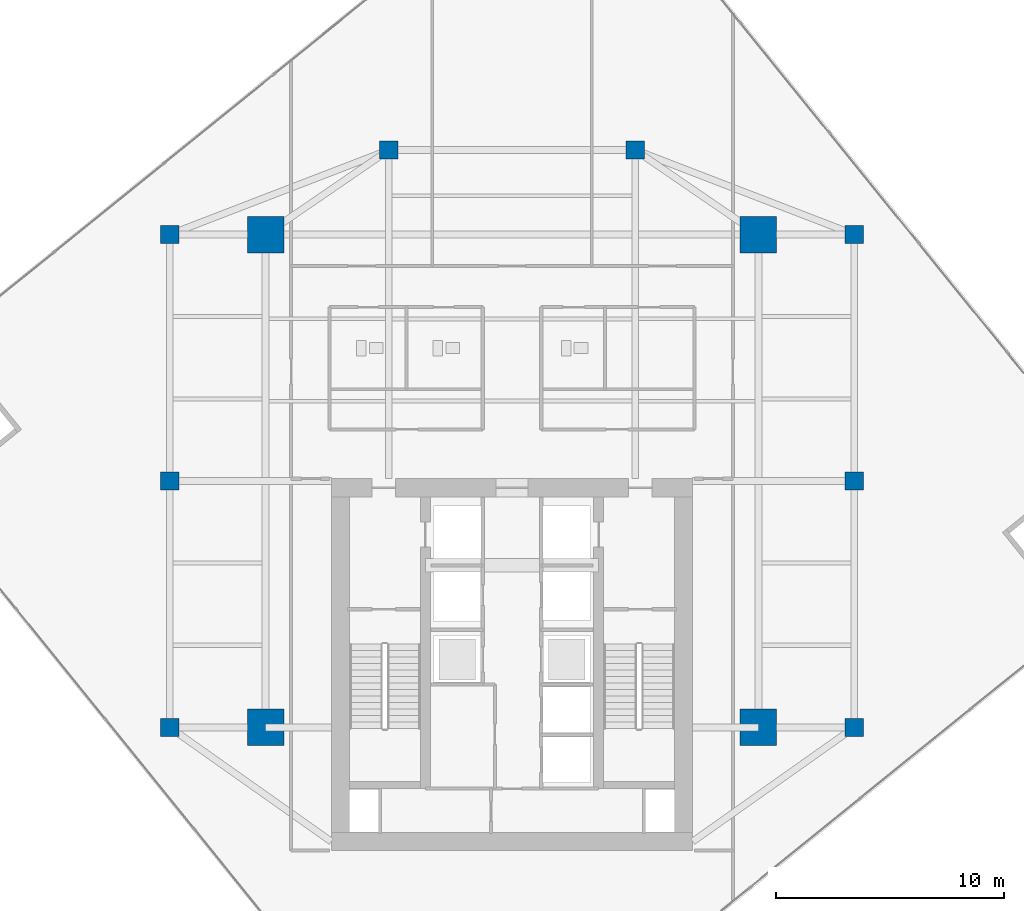
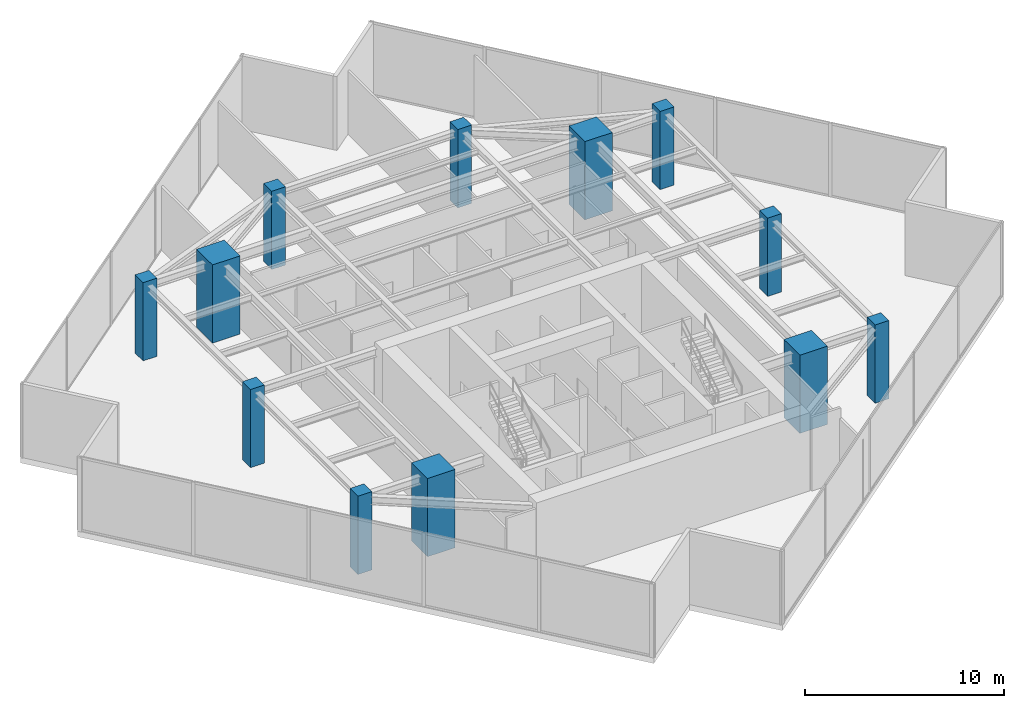
# One storey, part 1 of 22: 12 columns.
"""IFC4 building model written with IfcOpenShell, lengths in metres."""

from ifc_helpers import new_model, si_unit, direction, frame, origin, origin_2d, place, context, subcontext, project, spatial, rectangle, extrude, source, transform, mapped, material, material_profile, profile_set, type_object, type_shapes, element, save


model = new_model("IFC4")

# Units and contexts
model_context = context("Model", 3, precision=1e-05, world=origin(), true_north=direction((0.0, 1.0)))
body_context = subcontext(model_context, "Body", "Model", "MODEL_VIEW")
ifc_project = project(units=[si_unit("LENGTHUNIT", "METRE"), si_unit("AREAUNIT", "SQUARE_METRE"), si_unit("VOLUMEUNIT", "CUBIC_METRE"), si_unit("PLANEANGLEUNIT", "RADIAN"), si_unit("MASSUNIT", "GRAM", prefix="KILO")], contexts=[model_context])

# Site, building, storey
site_placement = place(None, origin())
site = spatial("IfcSite", under=ifc_project, at=site_placement, CompositionType="ELEMENT")
building_placement = place(site_placement, origin())
building = spatial("IfcBuilding", under=site, at=building_placement, Name="Krantzveldt Concourse Tower", CompositionType="ELEMENT")
storey_placement = place(building_placement, frame((0.0, 0.0, 262.60009765625)))
storey = spatial("IfcBuildingStorey", under=building, at=storey_placement, Name="L64", CompositionType="ELEMENT", Elevation=262.60009765625)

# Columns
ifc_material = material(Name="Concrete C50/60", Category="concrete")
ifc_material_profile_1 = material_profile(ifc_material, rectangle(XDim=1.60009765625, YDim=1.60009765625, at=origin_2d()), Name="Concrete C50/60", Category="concrete")
ifc_profile_set_1 = profile_set([ifc_material_profile_1], Name="Concrete C50/60 - RC 1600x1600")
column_type_1 = type_object("IfcColumnType", Name="COL-MC-1600", PredefinedType="USERDEFINED", material=ifc_profile_set_1)
shared_shape_1 = source(origin(), body_context, "Body", "SweptSolid", [
    extrude(rectangle(XDim=1.60009765625, YDim=1.60009765625, at=origin_2d()), origin(), (0.0, 0.0, 1.0), 4.7998046875),
])
type_shapes(column_type_1, [shared_shape_1])
for number, where, z_axis, x_axis, name in (
    (1, (25.199951171875, 15.89990234375, 0.0), (0.0, 0.0, 1.0), (1.0, 0.0, 0.0), "MC-SW-L64"),
    (2, (46.800048828125, 15.89990234375, 0.0), (0.0, 0.0, 1.0), (1.0, 0.0, 0.0), "MC-SE-L64"),
    (3, (46.800048828125, 37.5, 0.0), (0.0, 0.0, 1.0), (1.0, 0.0, 0.0), "MC-NE-L64"),
    (4, (25.199951171875, 37.5, 0.0), (0.0, 0.0, 1.0), (1.0, 0.0, 0.0), "MC-NW-L64"),
):
    element("IfcColumn", number, at=place(storey_placement, frame(where, z_axis=z_axis, x_axis=x_axis)), inside=storey, type_object=column_type_1, Name=name, ObjectType="MEGA COLUMN", PredefinedType="USERDEFINED", context=body_context, shape_type="MappedRepresentation", body=[
        mapped(shared_shape_1, transform((0.0, 0.0, 0.0), x_axis=(1.0, 0.0, 0.0), y_axis=(0.0, 1.0, 0.0), z_axis=(0.0, 0.0, 1.0), scale=1.0)),
    ])
ifc_material_profile_2 = material_profile(ifc_material, rectangle(XDim=0.800048828125, YDim=0.800048828125, at=origin_2d()), Name="Concrete C50/60", Category="concrete")
ifc_profile_set_2 = profile_set([ifc_material_profile_2], Name="Concrete C50/60 - RC 800x800")
column_type_2 = type_object("IfcColumnType", Name="COL-C-Z4", PredefinedType="COLUMN", material=ifc_profile_set_2)
shared_shape_2 = source(origin(), body_context, "Body", "SweptSolid", [
    extrude(rectangle(XDim=0.800048828125, YDim=0.800048828125, at=origin_2d()), origin(), (0.0, 0.0, 1.0), 4.7998046875),
])
type_shapes(column_type_2, [shared_shape_2])
for number, where, z_axis, x_axis, name in (
    (5, (21.0, 15.89990234375, 0.0), (0.0, 0.0, 1.0), (1.0, 0.0, 0.0), "PC-R01-L64"),
    (6, (21.0, 26.699951171875, 0.0), (0.0, 0.0, 1.0), (1.0, 0.0, 0.0), "PC-R02-L64"),
    (7, (21.0, 37.5, 0.0), (0.0, 0.0, 1.0), (1.0, 0.0, 0.0), "PC-R03-L64"),
    (8, (30.60009765625, 41.199951171875, 0.0), (0.0, 0.0, 1.0), (1.0, 0.0, 0.0), "PC-R04-L64"),
    (9, (41.39990234375, 41.199951171875, 0.0), (0.0, 0.0, 1.0), (1.0, 0.0, 0.0), "PC-R05-L64"),
    (10, (51.0, 37.5, 0.0), (0.0, 0.0, 1.0), (1.0, 0.0, 0.0), "PC-R06-L64"),
    (11, (51.0, 26.699951171875, 0.0), (0.0, 0.0, 1.0), (1.0, 0.0, 0.0), "PC-R07-L64"),
    (12, (51.0, 15.89990234375, 0.0), (0.0, 0.0, 1.0), (1.0, 0.0, 0.0), "PC-R08-L64"),
):
    element("IfcColumn", number, at=place(storey_placement, frame(where, z_axis=z_axis, x_axis=x_axis)), inside=storey, type_object=column_type_2, Name=name, PredefinedType="COLUMN", context=body_context, shape_type="MappedRepresentation", body=[
        mapped(shared_shape_2, transform((0.0, 0.0, 0.0), x_axis=(1.0, 0.0, 0.0), y_axis=(0.0, 1.0, 0.0), z_axis=(0.0, 0.0, 1.0), scale=1.0)),
    ])

save(model, "model.ifc")
